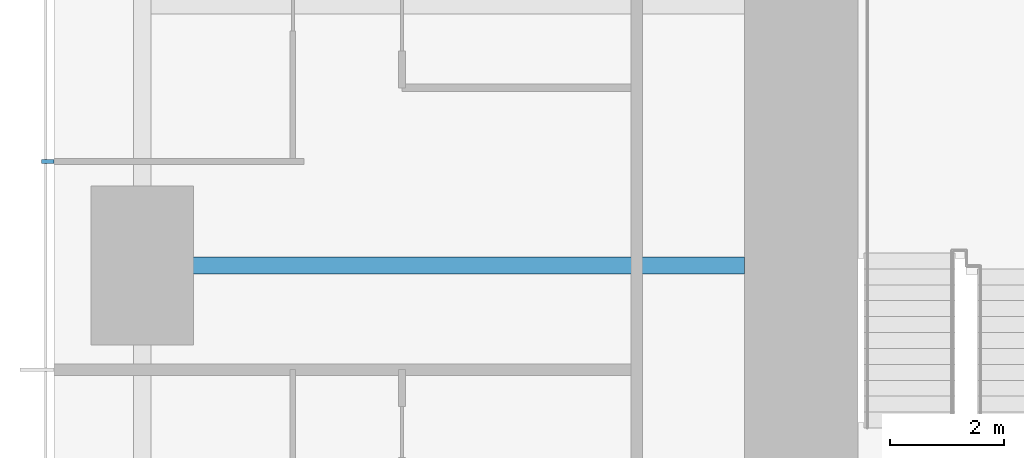
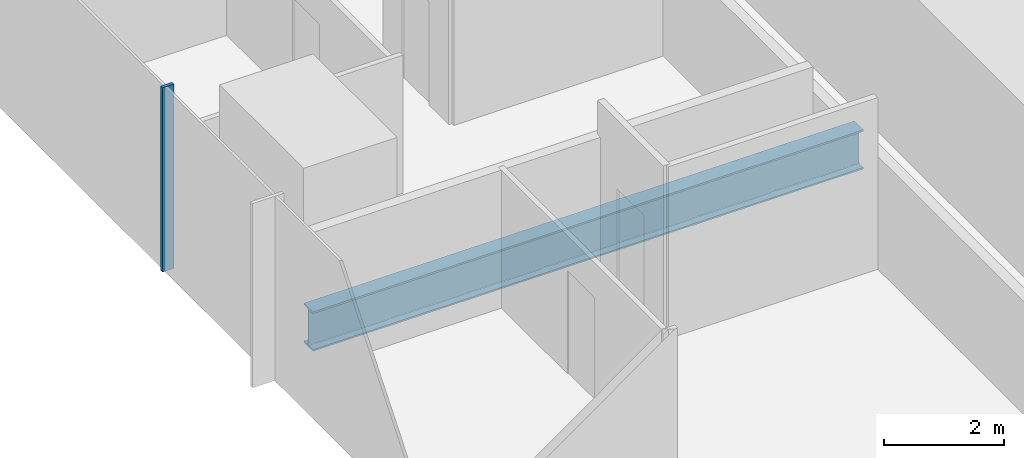
# One storey, part 3 of 13: 1 beam, 1 member, 1 element without a shape of its own.
"""IFC4 building model written with IfcOpenShell, lengths in metres."""

import ifcopenshell
import ifcopenshell.guid

model = None  # the IFC model being written
_history = None  # IfcOwnerHistory: only IFC2X3 demands one
_inside = {}  # id of a spatial element -> (the spatial element, [elements in it])
_under = {}  # id of a project, library or spatial element -> (it, [spatial elements below it])
_declared = {}  # id of a project -> (the project, [libraries it declares])
_typed = {}  # id of a type object -> (the type object, [elements of that type])
_made_of = {}  # id of a material, layer set ... -> (it, [elements and type objects made of it])


def new_model(schema):
    """Start an empty IFC model of exactly this schema.

    Asked for "IFC4X3", IfcOpenShell would pick the latest addendum, in which some entities
    have other attributes; the version numbers below select the first issue.
    IFC2X3 requires an IfcOwnerHistory on every rooted entity: one is made here for all.
    """
    global model, _history
    if schema == "IFC4X3":
        model = ifcopenshell.file(schema_version=(4, 3, 0, 0))
    else:
        model = ifcopenshell.file(schema=schema)
    _inside.clear()
    _under.clear()
    _declared.clear()
    _typed.clear()
    _made_of.clear()
    _history = None
    if model.schema == "IFC2X3":
        org = make("IfcOrganization", Name="unknown")
        user = make(
            "IfcPersonAndOrganization",
            ThePerson=make("IfcPerson", FamilyName="unknown"),
            TheOrganization=org,
        )
        app = make(
            "IfcApplication",
            ApplicationDeveloper=org,
            Version="unknown",
            ApplicationFullName="unknown",
            ApplicationIdentifier="unknown",
        )
        _history = make(
            "IfcOwnerHistory",
            OwningUser=user,
            OwningApplication=app,
            ChangeAction="ADDED",
            CreationDate=0,
        )
    return model


def make(cls, **values):
    """One entity of the class cls with the attributes given. An attribute that is None is left unset."""
    return model.create_entity(
        cls, **{name: value for name, value in values.items() if value is not None}
    )


def rooted(cls, **values):
    """An entity with a GlobalId (a new one), such as an element, a storey or a relation."""
    return make(cls, GlobalId=ifcopenshell.guid.new(), OwnerHistory=_history, **values)


def si_unit(unit_type, name, prefix=None):
    """IfcSIUnit, for example si_unit("LENGTHUNIT", "METRE", prefix="MILLI")."""
    return make("IfcSIUnit", UnitType=unit_type, Prefix=prefix, Name=name)


def assignment(units):
    """IfcUnitAssignment: the units of a project."""
    return None if units is None else make("IfcUnitAssignment", Units=units)


def point(xyz):
    """IfcCartesianPoint."""
    return None if xyz is None else make("IfcCartesianPoint", Coordinates=xyz)


def direction(xyz):
    """IfcDirection."""
    return None if xyz is None else make("IfcDirection", DirectionRatios=xyz)


def frame(location, z_axis=None, x_axis=None):
    """IfcAxis2Placement3D, a coordinate frame: its origin and axes. An axis left out is left unset."""
    return make(
        "IfcAxis2Placement3D",
        Location=point(location),
        Axis=direction(z_axis),
        RefDirection=direction(x_axis),
    )


def frame_2d(location, x_axis=None):
    """IfcAxis2Placement2D, a coordinate frame in the plane: its origin and x axis."""
    return make(
        "IfcAxis2Placement2D", Location=point(location), RefDirection=direction(x_axis)
    )


def origin():
    """The frame at (0, 0, 0) with its axes left unset."""
    return frame((0.0, 0.0, 0.0))


def origin_2d():
    """The frame at (0, 0) in the plane with its x axis left unset."""
    return frame_2d((0.0, 0.0))


def place(relative_to, where):
    """IfcLocalPlacement: puts the frame where relative to a parent placement (None: the world)."""
    return make(
        "IfcLocalPlacement", PlacementRelTo=relative_to, RelativePlacement=where
    )


def context(
    kind, dimensions, precision=None, world=None, true_north=None, identifier=None
):
    """IfcGeometricRepresentationContext, for example the 3D "Model" context."""
    return make(
        "IfcGeometricRepresentationContext",
        ContextIdentifier=identifier,
        ContextType=kind,
        CoordinateSpaceDimension=dimensions,
        Precision=precision,
        WorldCoordinateSystem=world,
        TrueNorth=true_north,
    )


def subcontext(parent, identifier, kind, view, scale=None):
    """IfcGeometricRepresentationSubContext, for example "Body" below "Model"."""
    return make(
        "IfcGeometricRepresentationSubContext",
        ContextIdentifier=identifier,
        ContextType=kind,
        ParentContext=parent,
        TargetScale=scale,
        TargetView=view,
    )


def project(units=None, contexts=None):
    """IfcProject with its units and contexts."""
    return rooted(
        "IfcProject",
        Name="project",
        RepresentationContexts=contexts,
        UnitsInContext=assignment(units),
    )


def spatial(cls, under=None, at=None, **own):
    """A site, building, storey or space (cls), placed at a placement, below another one or the project."""
    s = rooted(cls, ObjectPlacement=at, **own)
    if under is not None:
        _under.setdefault(under.id(), (under, []))[1].append(s)
    return s


def profile(cls, at=None, kind="AREA", **sizes):
    """A parametric profile (cls). Its sizes go by their IFC names, for example OverallWidth=200.0."""
    return make(cls, ProfileType=kind, Position=at, **sizes)


def rectangle(**sizes):
    """IfcRectangleProfileDef."""
    return profile("IfcRectangleProfileDef", **sizes)


def i_section(**sizes):
    """IfcIShapeProfileDef."""
    return profile("IfcIShapeProfileDef", **sizes)


def extrude(swept, where, along, depth):
    """IfcExtrudedAreaSolid: the profile swept, set in the frame where, extruded along a direction by depth."""
    return make(
        "IfcExtrudedAreaSolid",
        SweptArea=swept,
        Position=where,
        ExtrudedDirection=direction(along),
        Depth=depth,
    )


def shape(context_of_items, identifier, shape_type, items):
    """IfcShapeRepresentation: the items that make up one representation, for example the "Body"."""
    return make(
        "IfcShapeRepresentation",
        ContextOfItems=context_of_items,
        RepresentationIdentifier=identifier,
        RepresentationType=shape_type,
        Items=items,
    )


def material(Name=None, Category=None):
    """IfcMaterial."""
    return make("IfcMaterial", Name=Name, Category=Category)


def material_profile(
    of_material, cross_section, Name=None, Category=None, Priority=None
):
    """IfcMaterialProfile: a cross section and its material."""
    return make(
        "IfcMaterialProfile",
        Name=Name,
        Material=of_material,
        Profile=cross_section,
        Priority=Priority,
        Category=Category,
    )


def profile_set(profiles, Name=None, composite=None):
    """IfcMaterialProfileSet."""
    return make(
        "IfcMaterialProfileSet",
        Name=Name,
        MaterialProfiles=profiles,
        CompositeProfile=composite,
    )


def made_of(thing, what):
    """Note that an element or type object is made of a material, layer set ...; save() writes the relation."""
    if what is not None:
        _made_of.setdefault(what.id(), (what, []))[1].append(thing)
    return thing


def type_object(cls, material=None, **own):
    """A type object (cls), such as IfcWallType, which elements share."""
    return made_of(rooted(cls, **own), material)


def element(
    cls,
    number,
    at=None,
    inside=None,
    cuts=None,
    type_object=None,
    material=None,
    context=None,
    identifier="Body",
    shape_type=None,
    held_by="IfcProductDefinitionShape",
    body=None,
    shapes=None,
    **own,
):
    """One element of the class cls, such as IfcWall. Its Tag is "e" and its number.

    at: its placement. inside: the storey or other place that contains it. cuts: it is an
    opening in that element (IfcRelVoidsElement). A single representation is given by context,
    identifier, shape_type and body (its items); several are given by shapes. held_by: the class
    of the entity that holds the representations. save() writes the other relations.
    """
    e = rooted(cls, Tag="e%d" % number, ObjectPlacement=at, **own)
    if body is not None:
        shapes = [shape(context, identifier, shape_type, body)]
    if shapes is not None:
        e.Representation = make(held_by, Representations=shapes)
    if inside is not None:
        _inside.setdefault(inside.id(), (inside, []))[1].append(e)
    if cuts is not None:
        rooted(
            "IfcRelVoidsElement", RelatingBuildingElement=cuts, RelatedOpeningElement=e
        )
    if type_object is not None:
        _typed.setdefault(type_object.id(), (type_object, []))[1].append(e)
    return made_of(e, material)


def aggregate(whole, parts):
    """IfcRelAggregates: a whole, such as a stair, and the parts it consists of."""
    return rooted("IfcRelAggregates", RelatingObject=whole, RelatedObjects=parts)


def save(model, path):
    """Write the relations noted so far, then the file.

    IfcRelAggregates (storeys below a building ...), IfcRelContainedInSpatialStructure (elements
    in a storey), IfcRelDefinesByType, IfcRelAssociatesMaterial and IfcRelDeclares: one each for
    every whole, place, type object, material and project.
    """
    for whole, parts in _under.values():
        aggregate(whole, parts)
    for where, things in _inside.values():
        rooted(
            "IfcRelContainedInSpatialStructure",
            RelatedElements=things,
            RelatingStructure=where,
        )
    for kind, things in _typed.values():
        rooted("IfcRelDefinesByType", RelatedObjects=things, RelatingType=kind)
    for what, things in _made_of.values():
        rooted("IfcRelAssociatesMaterial", RelatedObjects=things, RelatingMaterial=what)
    for by, libraries in _declared.values():
        rooted("IfcRelDeclares", RelatingContext=by, RelatedDefinitions=libraries)
    model.write(path)


model = new_model("IFC4")

# Units and contexts
model_context = context("Model", 3, precision=1e-05, world=origin(), true_north=direction((0.0, 1.0)))
body_context = subcontext(model_context, "Body", "Model", "MODEL_VIEW")
ifc_project = project(units=[si_unit("LENGTHUNIT", "METRE"), si_unit("AREAUNIT", "SQUARE_METRE"), si_unit("VOLUMEUNIT", "CUBIC_METRE"), si_unit("PLANEANGLEUNIT", "RADIAN"), si_unit("MASSUNIT", "GRAM", prefix="KILO")], contexts=[model_context])

# Site, building, storey
site_placement = place(None, origin())
site = spatial("IfcSite", under=ifc_project, at=site_placement, CompositionType="ELEMENT")
building_placement = place(site_placement, origin())
building = spatial("IfcBuilding", under=site, at=building_placement, Name="Khuree Lantern Residences", CompositionType="ELEMENT")
storey_placement = place(building_placement, frame((0.0, 0.0, 141.0)))
storey = spatial("IfcBuildingStorey", under=building, at=storey_placement, Name="L35", CompositionType="ELEMENT", Elevation=141.0)

# Beam
ifc_material_1 = material(Name="Steel S355", Category="steel")
ifc_material_profile_1 = material_profile(ifc_material_1, i_section(OverallWidth=0.300048828125, OverallDepth=0.800048828125, WebThickness=0.017578125, FlangeThickness=0.032958984375, FilletRadius=0.030029296875, at=origin_2d()), Name="HE 800 B")
ifc_profile_set_1 = profile_set([ifc_material_profile_1], Name="Steel S355")
beam_type = type_object("IfcBeamType", Name="G-23 GIRDER HE 800 B", PredefinedType="BEAM", material=ifc_profile_set_1)
beam_placement = place(storey_placement, frame((-27.10009765625, 0.0, -0.64990234375), z_axis=(1.0, 0.0, 0.0), x_axis=(0.0, 1.0, 0.0)))
element("IfcBeam", 1, at=beam_placement, inside=storey, type_object=beam_type, Name="Girder W3", PredefinedType="BEAM", context=body_context, shape_type="SweptSolid", body=[
    extrude(i_section(OverallWidth=0.300048828125, OverallDepth=0.800048828125, WebThickness=0.017578125, FlangeThickness=0.032958984375, FilletRadius=0.030029296875, at=origin_2d()), origin(), (0.0, 0.0, 1.0), 10.60009765625),
])

# Curtain wall, member
ifc_material_2 = material(Name="Bronze anodised aluminium", Category="aluminium")
curtain_wall_type = type_object("IfcCurtainWallType", Name="CW-T1 TOWER FACE CURTAIN WALL", PredefinedType="USERDEFINED", material=ifc_material_2)
curtain_wall_placement = place(storey_placement, origin())
curtain_wall = element("IfcCurtainWall", 2, at=curtain_wall_placement, inside=storey, type_object=curtain_wall_type, Name="L35 WEST FACE CURTAIN WALL", ObjectType="Stick-built curtain wall", PredefinedType="USERDEFINED")
ifc_material_profile_2 = material_profile(ifc_material_2, rectangle(XDim=0.06494140625, YDim=0.219970703125, at=origin_2d()), Name="M1 65X220")
ifc_profile_set_2 = profile_set([ifc_material_profile_2], Name="Bronze anodised aluminium")
member_type = type_object("IfcMemberType", Name="M1 BRONZE MULLION TOWER 65X220", PredefinedType="MULLION", material=ifc_profile_set_2)
member_placement = place(storey_placement, frame((-28.760009765625, 1.83203125, 0.0), z_axis=(0.0, 0.0, 1.0), x_axis=(0.0, -1.0, 0.0)))
member = element("IfcMember", 3, at=member_placement, type_object=member_type, Name="L35 WEST FACE MULLION 37", PredefinedType="MULLION", context=body_context, shape_type="SweptSolid", body=[
    extrude(rectangle(XDim=0.06494140625, YDim=0.219970703125, at=origin_2d()), origin(), (0.0, 0.0, 1.0), 3.75),
])
aggregate(curtain_wall, [member])

save(model, "model.ifc")
